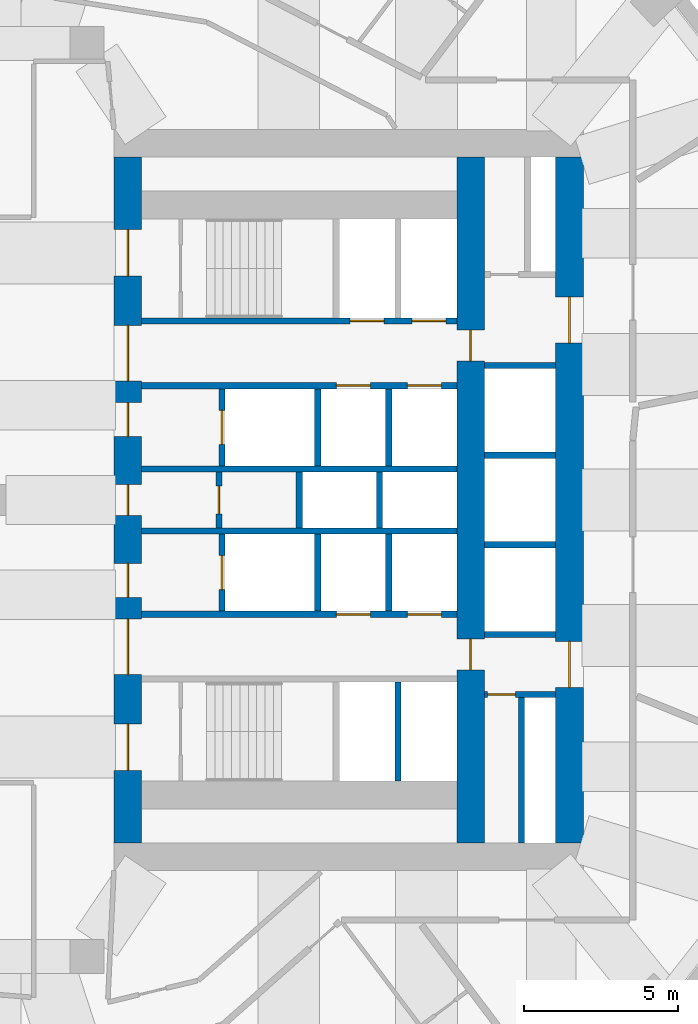
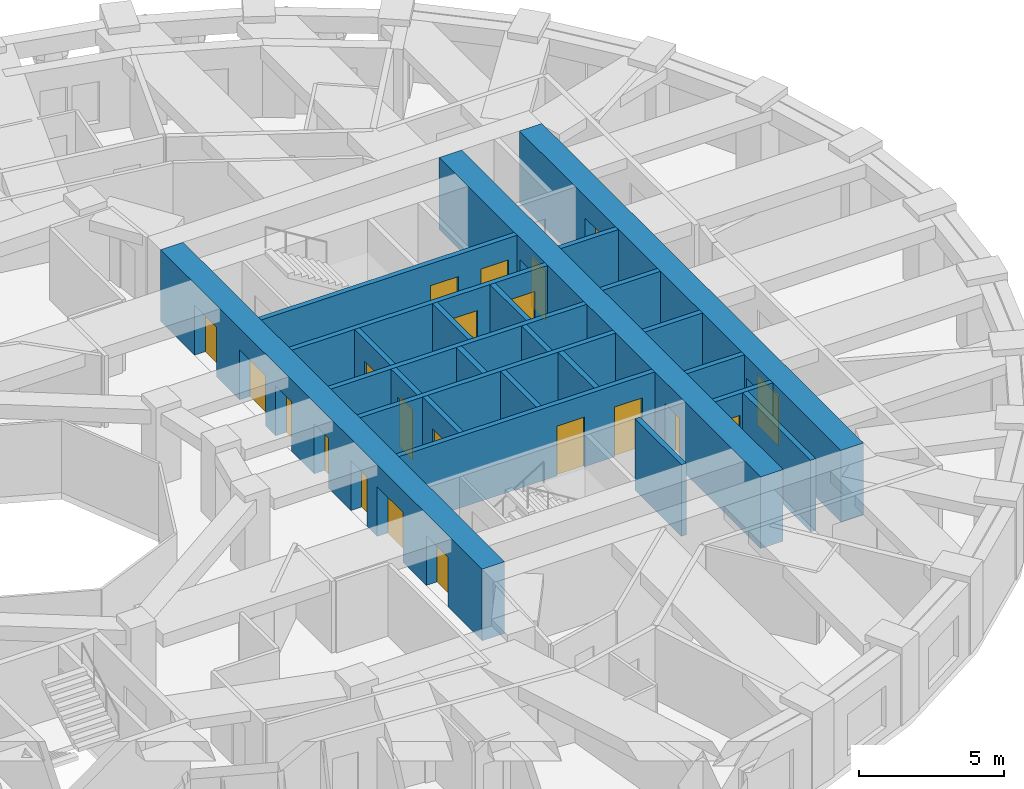
# One storey, part 6 of 13: 24 walls, 21 doors, 21 openings.
"""IFC4 building model written with IfcOpenShell, lengths in metres."""

from ifc_helpers import new_model, si_unit, direction, frame, frame_2d, origin, place, context, subcontext, project, spatial, rectangle, extrude, material, layer, layer_set, type_object, element, fill, save


model = new_model("IFC4")

# Units and contexts
model_context = context("Model", 3, precision=1e-05, world=origin(), true_north=direction((0.0, 1.0)))
body_context = subcontext(model_context, "Body", "Model", "MODEL_VIEW")
ifc_project = project(units=[si_unit("LENGTHUNIT", "METRE"), si_unit("AREAUNIT", "SQUARE_METRE"), si_unit("VOLUMEUNIT", "CUBIC_METRE"), si_unit("PLANEANGLEUNIT", "RADIAN"), si_unit("MASSUNIT", "GRAM", prefix="KILO")], contexts=[model_context])

# Site, building, storey
site_placement = place(None, origin())
site = spatial("IfcSite", under=ifc_project, at=site_placement, CompositionType="ELEMENT")
building_placement = place(site_placement, origin())
building = spatial("IfcBuilding", under=site, at=building_placement, Name="Taillehof Tower", CompositionType="ELEMENT")
storey_placement = place(building_placement, frame((0.0, 0.0, 64.60009765625)))
storey = spatial("IfcBuildingStorey", under=building, at=storey_placement, Name="L17", CompositionType="ELEMENT", Elevation=64.60009765625)

# Wall, opening, door
ifc_material_1 = material(Name="Calcium silicate masonry", Category="masonry")
ifc_layer_1 = layer(ifc_material_1, 0.199951171875)
ifc_layer_set_1 = layer_set([ifc_layer_1], Name="Compartment wall calcium silicate 200")
wall_type_1 = type_object("IfcWallType", Name="Compartment wall calcium silicate 200", PredefinedType="PARTITIONING", material=ifc_layer_set_1)
wall_1_placement = place(storey_placement, frame((7.39990234375, -0.89990234375, 0.0), z_axis=(0.0, 0.0, 1.0), x_axis=(0.0, 1.0, 0.0)))
wall_1 = element("IfcWall", 1, at=wall_1_placement, inside=storey, type_object=wall_type_1, Name="Compartment wall FW", PredefinedType="PARTITIONING", context=body_context, shape_type="SweptSolid", body=[
    extrude(rectangle(XDim=1.7998046875, YDim=0.199951171875, at=frame_2d((0.89990234375, 0.0))), origin(), (0.0, 0.0, 1.0), 3.02001953125),
])
opening_1_placement = place(wall_1_placement, frame((0.449951171875, 0.0, 0.0)))
opening_1 = element("IfcOpeningElement", 2, at=opening_1_placement, cuts=wall_1, Name="Opening D1714", PredefinedType="OPENING", context=body_context, shape_type="SweptSolid", body=[
    extrude(rectangle(XDim=0.89990234375, YDim=2.10009765625, at=frame_2d((0.449951171875, 1.050048828125))), frame((0.0, 0.10986328125, 0.0), z_axis=(0.0, -1.0, 0.0), x_axis=(1.0, 0.0, 0.0)), (0.0, 0.0, 1.0), 0.219970703125),
])
ifc_material_2 = material(Name="Steel-faced fire door", Category="steel")
door_type_1 = type_object("IfcDoorType", Name="Riser and service room door 900x2100", OperationType="SINGLE_SWING_LEFT", PredefinedType="DOOR", material=ifc_material_2)
door_1_placement = place(opening_1_placement, origin())
door_1 = element("IfcDoor", 3, at=door_1_placement, inside=storey, type_object=door_type_1, Name="Door Electrical Room", OperationType="SINGLE_SWING_RIGHT", OverallHeight=2.10009765625, OverallWidth=0.89990234375, PredefinedType="DOOR", context=body_context, shape_type="SweptSolid", body=[
    extrude(rectangle(XDim=0.89990234375, YDim=2.10009765625, at=frame_2d((0.449951171875, 1.050048828125))), frame((0.0, 0.02490234375, 0.0), z_axis=(0.0, -1.0, 0.0), x_axis=(1.0, 0.0, 0.0)), (0.0, 0.0, 1.0), 0.050048828125),
])
fill(opening_1, door_1)

# Walls
for number, where, z_axis, x_axis, name in (
    (4, (10.0, -0.89990234375, 0.0), (0.0, 0.0, 1.0), (0.0, 1.0, 0.0), "Compartment wall FW"),
    (5, (12.60009765625, -0.89990234375, 0.0), (0.0, 0.0, 1.0), (0.0, 1.0, 0.0), "Compartment wall FW"),
):
    element("IfcWall", number, at=place(storey_placement, frame(where, z_axis=z_axis, x_axis=x_axis)), inside=storey, type_object=wall_type_1, Name=name, PredefinedType="PARTITIONING", context=body_context, shape_type="SweptSolid", body=[
        extrude(rectangle(XDim=1.7998046875, YDim=0.199951171875, at=frame_2d((0.89990234375, 0.0))), origin(), (0.0, 0.0, 1.0), 3.02001953125),
    ])

# Wall, opening, door
wall_2_placement = place(storey_placement, frame((16.0, -6.300048828125, 0.0), z_axis=(0.0, 0.0, 1.0), x_axis=(1.0, 0.0, 0.0)))
wall_2 = element("IfcWall", 6, at=wall_2_placement, inside=storey, type_object=wall_type_1, Name="Compartment wall FW", PredefinedType="PARTITIONING", context=body_context, shape_type="SweptSolid", body=[
    extrude(rectangle(XDim=2.300048828125, YDim=0.199951171875, at=frame_2d((1.14990234375, 0.0))), origin(), (0.0, 0.0, 1.0), 3.02001953125),
])
opening_2_placement = place(wall_2_placement, frame((0.10009765625, 0.0, 0.0)))
opening_2 = element("IfcOpeningElement", 7, at=opening_2_placement, cuts=wall_2, Name="Opening D1718", PredefinedType="OPENING", context=body_context, shape_type="SweptSolid", body=[
    extrude(rectangle(XDim=0.89990234375, YDim=2.10009765625, at=frame_2d((0.449951171875, 1.050048828125))), frame((0.0, 0.10986328125, 0.0), z_axis=(0.0, -1.0, 0.0), x_axis=(1.0, 0.0, 0.0)), (0.0, 0.0, 1.0), 0.219970703125),
])
door_2_placement = place(opening_2_placement, origin())
door_2 = element("IfcDoor", 8, at=door_2_placement, inside=storey, type_object=door_type_1, Name="Door Electrical Room", OperationType="SINGLE_SWING_LEFT", OverallHeight=2.10009765625, OverallWidth=0.89990234375, PredefinedType="DOOR", context=body_context, shape_type="SweptSolid", body=[
    extrude(rectangle(XDim=0.89990234375, YDim=2.10009765625, at=frame_2d((0.449951171875, 1.050048828125))), frame((0.0, 0.02490234375, 0.0), z_axis=(0.0, -1.0, 0.0), x_axis=(1.0, 0.0, 0.0)), (0.0, 0.0, 1.0), 0.050048828125),
])
fill(opening_2, door_2)

# Wall
wall_3_placement = place(storey_placement, frame((17.199951171875, -11.10009765625, 0.0), z_axis=(0.0, 0.0, 1.0), x_axis=(0.0, 1.0, 0.0)))
element("IfcWall", 9, at=wall_3_placement, inside=storey, type_object=wall_type_1, Name="Compartment wall FW", PredefinedType="PARTITIONING", context=body_context, shape_type="SweptSolid", body=[
    extrude(rectangle(XDim=4.7001953125, YDim=0.199951171875, at=frame_2d((2.35009765625, 0.0))), origin(), (0.0, 0.0, 1.0), 3.02001953125),
])

# Wall, openings, doors
ifc_material_3 = material(Name="Concrete C80/95", Category="concrete")
ifc_layer_2 = layer(ifc_material_3, 0.89990234375)
ifc_layer_set_2 = layer_set([ifc_layer_2], Name="Core wall C80/95 900")
wall_type_2 = type_object("IfcWallType", Name="Core wall C80/95 900", PredefinedType="SHEAR", material=ifc_layer_set_2)
wall_4_placement = place(storey_placement, frame((4.449951171875, -11.10009765625, 0.0), z_axis=(0.0, 0.0, 1.0), x_axis=(0.0, 1.0, 0.0)))
wall_4 = element("IfcWall", 10, at=wall_4_placement, inside=storey, type_object=wall_type_2, Name="Core wall CW01", PredefinedType="SHEAR", context=body_context, shape_type="SweptSolid", body=[
    extrude(rectangle(XDim=22.2001953125, YDim=0.89990234375, at=frame_2d((11.10009765625, 0.0))), origin(), (0.0, 0.0, 1.0), 3.02001953125),
])
opening_3_placement = place(wall_4_placement, frame((2.35009765625, 0.0, 0.0)))
opening_3 = element("IfcOpeningElement", 11, at=opening_3_placement, cuts=wall_4, Name="Opening D1701", PredefinedType="OPENING", context=body_context, shape_type="SweptSolid", body=[
    extrude(rectangle(XDim=1.5, YDim=2.10009765625, at=frame_2d((0.75, 1.050048828125))), frame((0.0, 0.4599609375, 0.0), z_axis=(0.0, -1.0, 0.0), x_axis=(1.0, 0.0, 0.0)), (0.0, 0.0, 1.0), 0.919921875),
])
opening_4_placement = place(wall_4_placement, frame((5.449951171875, 0.0, 0.0)))
opening_4 = element("IfcOpeningElement", 12, at=opening_4_placement, cuts=wall_4, Name="Opening D1702", PredefinedType="OPENING", context=body_context, shape_type="SweptSolid", body=[
    extrude(rectangle(XDim=1.800048828125, YDim=2.10009765625, at=frame_2d((0.89990234375, 1.050048828125))), frame((0.0, 0.4599609375, 0.0), z_axis=(0.0, -1.0, 0.0), x_axis=(1.0, 0.0, 0.0)), (0.0, 0.0, 1.0), 0.919921875),
])
opening_5_placement = place(wall_4_placement, frame((7.949951171875, 0.0, 0.0)))
opening_5 = element("IfcOpeningElement", 13, at=opening_5_placement, cuts=wall_4, Name="Opening D1703", PredefinedType="OPENING", context=body_context, shape_type="SweptSolid", body=[
    extrude(rectangle(XDim=1.10009765625, YDim=2.10009765625, at=frame_2d((0.550048828125, 1.050048828125))), frame((0.0, 0.4599609375, 0.0), z_axis=(0.0, -1.0, 0.0), x_axis=(1.0, 0.0, 0.0)), (0.0, 0.0, 1.0), 0.919921875),
])
opening_6_placement = place(wall_4_placement, frame((10.60009765625, 0.0, 0.0)))
opening_6 = element("IfcOpeningElement", 14, at=opening_6_placement, cuts=wall_4, Name="Opening D1704", PredefinedType="OPENING", context=body_context, shape_type="SweptSolid", body=[
    extrude(rectangle(XDim=1.0, YDim=2.10009765625, at=frame_2d((0.5, 1.050048828125))), frame((0.0, 0.4599609375, 0.0), z_axis=(0.0, -1.0, 0.0), x_axis=(1.0, 0.0, 0.0)), (0.0, 0.0, 1.0), 0.919921875),
])
opening_7_placement = place(wall_4_placement, frame((13.14990234375, 0.0, 0.0)))
opening_7 = element("IfcOpeningElement", 15, at=opening_7_placement, cuts=wall_4, Name="Opening D1705", PredefinedType="OPENING", context=body_context, shape_type="SweptSolid", body=[
    extrude(rectangle(XDim=1.10009765625, YDim=2.10009765625, at=frame_2d((0.550048828125, 1.050048828125))), frame((0.0, 0.4599609375, 0.0), z_axis=(0.0, -1.0, 0.0), x_axis=(1.0, 0.0, 0.0)), (0.0, 0.0, 1.0), 0.919921875),
])
opening_8_placement = place(wall_4_placement, frame((14.949951171875, 0.0, 0.0)))
opening_8 = element("IfcOpeningElement", 16, at=opening_8_placement, cuts=wall_4, Name="Opening D1706", PredefinedType="OPENING", context=body_context, shape_type="SweptSolid", body=[
    extrude(rectangle(XDim=1.800048828125, YDim=2.10009765625, at=frame_2d((0.89990234375, 1.050048828125))), frame((0.0, 0.4599609375, 0.0), z_axis=(0.0, -1.0, 0.0), x_axis=(1.0, 0.0, 0.0)), (0.0, 0.0, 1.0), 0.919921875),
])
opening_9_placement = place(wall_4_placement, frame((18.35009765625, 0.0, 0.0)))
opening_9 = element("IfcOpeningElement", 17, at=opening_9_placement, cuts=wall_4, Name="Opening D1707", PredefinedType="OPENING", context=body_context, shape_type="SweptSolid", body=[
    extrude(rectangle(XDim=1.5, YDim=2.10009765625, at=frame_2d((0.75, 1.050048828125))), frame((0.0, 0.4599609375, 0.0), z_axis=(0.0, -1.0, 0.0), x_axis=(1.0, 0.0, 0.0)), (0.0, 0.0, 1.0), 0.919921875),
])
ifc_material_4 = material(Name="Steel-faced fire door", Category="steel")
door_type_2 = type_object("IfcDoorType", Name="Firefighting lobby door 1100x2100", OperationType="SINGLE_SWING_RIGHT", PredefinedType="DOOR", material=ifc_material_4)
door_3_placement = place(opening_5_placement, origin())
door_3 = element("IfcDoor", 18, at=door_3_placement, inside=storey, type_object=door_type_2, Name="Firefighting lobby door FFL-S", OperationType="SINGLE_SWING_RIGHT", OverallHeight=2.10009765625, OverallWidth=1.10009765625, PredefinedType="DOOR", context=body_context, shape_type="SweptSolid", body=[
    extrude(rectangle(XDim=1.10009765625, YDim=2.10009765625, at=frame_2d((0.550048828125, 1.050048828125))), frame((0.0, 0.02490234375, 0.0), z_axis=(0.0, -1.0, 0.0), x_axis=(1.0, 0.0, 0.0)), (0.0, 0.0, 1.0), 0.050048828125),
])
fill(opening_5, door_3)
door_4_placement = place(opening_7_placement, origin())
door_4 = element("IfcDoor", 19, at=door_4_placement, inside=storey, type_object=door_type_2, Name="Firefighting lobby door FFL-N", OperationType="SINGLE_SWING_LEFT", OverallHeight=2.10009765625, OverallWidth=1.10009765625, PredefinedType="DOOR", context=body_context, shape_type="SweptSolid", body=[
    extrude(rectangle(XDim=1.10009765625, YDim=2.10009765625, at=frame_2d((0.550048828125, 1.050048828125))), frame((0.0, 0.02490234375, 0.0), z_axis=(0.0, -1.0, 0.0), x_axis=(1.0, 0.0, 0.0)), (0.0, 0.0, 1.0), 0.050048828125),
])
fill(opening_7, door_4)
ifc_material_5 = material(Name="Steel-faced fire door", Category="steel")
door_type_3 = type_object("IfcDoorType", Name="Lift lobby door 1800x2100", OperationType="DOUBLE_DOOR_SINGLE_SWING", PredefinedType="DOOR", material=ifc_material_5)
door_5_placement = place(opening_4_placement, origin())
door_5 = element("IfcDoor", 20, at=door_5_placement, inside=storey, type_object=door_type_3, Name="Lift lobby door LL-S", OperationType="DOUBLE_DOOR_SINGLE_SWING", OverallHeight=2.10009765625, OverallWidth=1.800048828125, PredefinedType="DOOR", context=body_context, shape_type="SweptSolid", body=[
    extrude(rectangle(XDim=1.800048828125, YDim=2.10009765625, at=frame_2d((0.89990234375, 1.050048828125))), frame((0.0, 0.02490234375, 0.0), z_axis=(0.0, -1.0, 0.0), x_axis=(1.0, 0.0, 0.0)), (0.0, 0.0, 1.0), 0.050048828125),
])
fill(opening_4, door_5)
door_6_placement = place(opening_8_placement, origin())
door_6 = element("IfcDoor", 21, at=door_6_placement, inside=storey, type_object=door_type_3, Name="Lift lobby door LL-N", OperationType="DOUBLE_DOOR_SINGLE_SWING", OverallHeight=2.10009765625, OverallWidth=1.800048828125, PredefinedType="DOOR", context=body_context, shape_type="SweptSolid", body=[
    extrude(rectangle(XDim=1.800048828125, YDim=2.10009765625, at=frame_2d((0.89990234375, 1.050048828125))), frame((0.0, 0.02490234375, 0.0), z_axis=(0.0, -1.0, 0.0), x_axis=(1.0, 0.0, 0.0)), (0.0, 0.0, 1.0), 0.050048828125),
])
fill(opening_8, door_6)
ifc_material_6 = material(Name="Steel-faced fire door", Category="steel")
door_type_4 = type_object("IfcDoorType", Name="Service door 1000x2100", OperationType="SINGLE_SWING_RIGHT", PredefinedType="DOOR", material=ifc_material_6)
door_7_placement = place(opening_6_placement, origin())
door_7 = element("IfcDoor", 22, at=door_7_placement, inside=storey, type_object=door_type_4, Name="Service door SV", OperationType="SINGLE_SWING_LEFT", OverallHeight=2.10009765625, OverallWidth=1.0, PredefinedType="DOOR", context=body_context, shape_type="SweptSolid", body=[
    extrude(rectangle(XDim=1.0, YDim=2.10009765625, at=frame_2d((0.5, 1.050048828125))), frame((0.0, 0.02490234375, 0.0), z_axis=(0.0, -1.0, 0.0), x_axis=(1.0, 0.0, 0.0)), (0.0, 0.0, 1.0), 0.050048828125),
])
fill(opening_6, door_7)
ifc_material_7 = material(Name="Steel-faced fire door", Category="steel")
door_type_5 = type_object("IfcDoorType", Name="Stair door 1500x2100", OperationType="DOUBLE_DOOR_SINGLE_SWING", PredefinedType="DOOR", material=ifc_material_7)
door_8_placement = place(opening_3_placement, origin())
door_8 = element("IfcDoor", 23, at=door_8_placement, inside=storey, type_object=door_type_5, Name="Stair door S2", OperationType="DOUBLE_DOOR_SINGLE_SWING", OverallHeight=2.10009765625, OverallWidth=1.5, PredefinedType="DOOR", context=body_context, shape_type="SweptSolid", body=[
    extrude(rectangle(XDim=1.5, YDim=2.10009765625, at=frame_2d((0.75, 1.050048828125))), frame((0.0, 0.02490234375, 0.0), z_axis=(0.0, -1.0, 0.0), x_axis=(1.0, 0.0, 0.0)), (0.0, 0.0, 1.0), 0.050048828125),
])
fill(opening_3, door_8)
door_9_placement = place(opening_9_placement, origin())
door_9 = element("IfcDoor", 24, at=door_9_placement, inside=storey, type_object=door_type_5, Name="Stair door S1", OperationType="DOUBLE_DOOR_SINGLE_SWING", OverallHeight=2.10009765625, OverallWidth=1.5, PredefinedType="DOOR", context=body_context, shape_type="SweptSolid", body=[
    extrude(rectangle(XDim=1.5, YDim=2.10009765625, at=frame_2d((0.75, 1.050048828125))), frame((0.0, 0.02490234375, 0.0), z_axis=(0.0, -1.0, 0.0), x_axis=(1.0, 0.0, 0.0)), (0.0, 0.0, 1.0), 0.050048828125),
])
fill(opening_9, door_9)

wall_5_placement = place(storey_placement, frame((18.75, -11.10009765625, 0.0), z_axis=(0.0, 0.0, 1.0), x_axis=(0.0, 1.0, 0.0)))
wall_5 = element("IfcWall", 25, at=wall_5_placement, inside=storey, type_object=wall_type_2, Name="Core wall CW02", PredefinedType="SHEAR", context=body_context, shape_type="SweptSolid", body=[
    extrude(rectangle(XDim=22.2001953125, YDim=0.89990234375, at=frame_2d((11.10009765625, 0.0))), origin(), (0.0, 0.0, 1.0), 3.02001953125),
])
opening_10_placement = place(wall_5_placement, frame((16.175048828125, 0.0, 0.0)))
opening_10 = element("IfcOpeningElement", 26, at=opening_10_placement, cuts=wall_5, Name="Opening D1708", PredefinedType="OPENING", context=body_context, shape_type="SweptSolid", body=[
    extrude(rectangle(XDim=1.5, YDim=2.10009765625, at=frame_2d((0.75, 1.050048828125))), frame((0.0, 0.4599609375, 0.0), z_axis=(0.0, -1.0, 0.0), x_axis=(1.0, 0.0, 0.0)), (0.0, 0.0, 1.0), 0.919921875),
])
opening_11_placement = place(wall_5_placement, frame((5.02490234375, 0.0, 0.0)))
opening_11 = element("IfcOpeningElement", 27, at=opening_11_placement, cuts=wall_5, Name="Opening D1709", PredefinedType="OPENING", context=body_context, shape_type="SweptSolid", body=[
    extrude(rectangle(XDim=1.5, YDim=2.10009765625, at=frame_2d((0.75, 1.050048828125))), frame((0.0, 0.4599609375, 0.0), z_axis=(0.0, -1.0, 0.0), x_axis=(1.0, 0.0, 0.0)), (0.0, 0.0, 1.0), 0.919921875),
])
ifc_material_8 = material(Name="Steel-faced fire door", Category="steel")
door_type_6 = type_object("IfcDoorType", Name="Lift lobby east door 1500x2100", OperationType="DOUBLE_DOOR_SINGLE_SWING", PredefinedType="DOOR", material=ifc_material_8)
door_10_placement = place(opening_10_placement, origin())
door_10 = element("IfcDoor", 28, at=door_10_placement, inside=storey, type_object=door_type_6, Name="Lift lobby east door north", OperationType="DOUBLE_DOOR_SINGLE_SWING", OverallHeight=2.10009765625, OverallWidth=1.5, PredefinedType="DOOR", context=body_context, shape_type="SweptSolid", body=[
    extrude(rectangle(XDim=1.5, YDim=2.10009765625, at=frame_2d((0.75, 1.050048828125))), frame((0.0, 0.02490234375, 0.0), z_axis=(0.0, -1.0, 0.0), x_axis=(1.0, 0.0, 0.0)), (0.0, 0.0, 1.0), 0.050048828125),
])
fill(opening_10, door_10)
door_11_placement = place(opening_11_placement, origin())
door_11 = element("IfcDoor", 29, at=door_11_placement, inside=storey, type_object=door_type_6, Name="Lift lobby east door south", OperationType="DOUBLE_DOOR_SINGLE_SWING", OverallHeight=2.10009765625, OverallWidth=1.5, PredefinedType="DOOR", context=body_context, shape_type="SweptSolid", body=[
    extrude(rectangle(XDim=1.5, YDim=2.10009765625, at=frame_2d((0.75, 1.050048828125))), frame((0.0, 0.02490234375, 0.0), z_axis=(0.0, -1.0, 0.0), x_axis=(1.0, 0.0, 0.0)), (0.0, 0.0, 1.0), 0.050048828125),
])
fill(opening_11, door_11)

wall_6_placement = place(storey_placement, frame((15.550048828125, -11.10009765625, 0.0), z_axis=(0.0, 0.0, 1.0), x_axis=(0.0, 1.0, 0.0)))
wall_6 = element("IfcWall", 30, at=wall_6_placement, inside=storey, type_object=wall_type_2, Name="Core wall CW05", PredefinedType="SHEAR", context=body_context, shape_type="SweptSolid", body=[
    extrude(rectangle(XDim=22.2001953125, YDim=0.89990234375, at=frame_2d((11.10009765625, 0.0))), origin(), (0.0, 0.0, 1.0), 3.02001953125),
])
opening_12_placement = place(wall_6_placement, frame((15.60009765625, 0.0, 0.0)))
opening_12 = element("IfcOpeningElement", 31, at=opening_12_placement, cuts=wall_6, Name="Opening D1715", PredefinedType="OPENING", context=body_context, shape_type="SweptSolid", body=[
    extrude(rectangle(XDim=1.0, YDim=2.10009765625, at=frame_2d((0.5, 1.050048828125))), frame((0.0, 0.4599609375, 0.0), z_axis=(0.0, -1.0, 0.0), x_axis=(1.0, 0.0, 0.0)), (0.0, 0.0, 1.0), 0.919921875),
])
opening_13_placement = place(wall_6_placement, frame((5.60009765625, 0.0, 0.0)))
opening_13 = element("IfcOpeningElement", 32, at=opening_13_placement, cuts=wall_6, Name="Opening D1717", PredefinedType="OPENING", context=body_context, shape_type="SweptSolid", body=[
    extrude(rectangle(XDim=1.0, YDim=2.10009765625, at=frame_2d((0.5, 1.050048828125))), frame((0.0, 0.4599609375, 0.0), z_axis=(0.0, -1.0, 0.0), x_axis=(1.0, 0.0, 0.0)), (0.0, 0.0, 1.0), 0.919921875),
])
door_12_placement = place(opening_12_placement, origin())
door_12 = element("IfcDoor", 33, at=door_12_placement, inside=storey, type_object=door_type_4, Name="Service door strip", OperationType="SINGLE_SWING_RIGHT", OverallHeight=2.10009765625, OverallWidth=1.0, PredefinedType="DOOR", context=body_context, shape_type="SweptSolid", body=[
    extrude(rectangle(XDim=1.0, YDim=2.10009765625, at=frame_2d((0.5, 1.050048828125))), frame((0.0, 0.02490234375, 0.0), z_axis=(0.0, -1.0, 0.0), x_axis=(1.0, 0.0, 0.0)), (0.0, 0.0, 1.0), 0.050048828125),
])
fill(opening_12, door_12)
door_13_placement = place(opening_13_placement, origin())
door_13 = element("IfcDoor", 34, at=door_13_placement, inside=storey, type_object=door_type_4, Name="Service door strip", OperationType="SINGLE_SWING_LEFT", OverallHeight=2.10009765625, OverallWidth=1.0, PredefinedType="DOOR", context=body_context, shape_type="SweptSolid", body=[
    extrude(rectangle(XDim=1.0, YDim=2.10009765625, at=frame_2d((0.5, 1.050048828125))), frame((0.0, 0.02490234375, 0.0), z_axis=(0.0, -1.0, 0.0), x_axis=(1.0, 0.0, 0.0)), (0.0, 0.0, 1.0), 0.050048828125),
])
fill(opening_13, door_13)

ifc_material_9 = material(Name="Concrete C50/60", Category="concrete")
ifc_layer_3 = layer(ifc_material_9, 0.199951171875)
ifc_layer_set_3 = layer_set([ifc_layer_3], Name="Shaft wall C50/60 200")
wall_type_3 = type_object("IfcWallType", Name="Shaft wall C50/60 200", PredefinedType="SHEAR", material=ifc_layer_set_3)
wall_7_placement = place(storey_placement, frame((4.89990234375, 5.800048828125, 0.0), z_axis=(0.0, 0.0, 1.0), x_axis=(1.0, 0.0, 0.0)))
wall_7 = element("IfcWall", 35, at=wall_7_placement, inside=storey, type_object=wall_type_3, Name="Shaft wall SW", PredefinedType="SHEAR", context=body_context, shape_type="SweptSolid", body=[
    extrude(rectangle(XDim=10.2001953125, YDim=0.199951171875, at=frame_2d((5.10009765625, 0.0))), origin(), (0.0, 0.0, 1.0), 3.02001953125),
])
opening_14_placement = place(wall_7_placement, frame((6.75, 0.0, 0.0)))
opening_14 = element("IfcOpeningElement", 36, at=opening_14_placement, cuts=wall_7, Name="Opening LD1", PredefinedType="OPENING", context=body_context, shape_type="SweptSolid", body=[
    extrude(rectangle(XDim=1.10009765625, YDim=2.10009765625, at=frame_2d((0.550048828125, 1.050048828125))), frame((0.0, 0.10986328125, 0.0), z_axis=(0.0, -1.0, 0.0), x_axis=(1.0, 0.0, 0.0)), (0.0, 0.0, 1.0), 0.219970703125),
])
opening_15_placement = place(wall_7_placement, frame((8.75, 0.0, 0.0)))
opening_15 = element("IfcOpeningElement", 37, at=opening_15_placement, cuts=wall_7, Name="Opening LD1", PredefinedType="OPENING", context=body_context, shape_type="SweptSolid", body=[
    extrude(rectangle(XDim=1.10009765625, YDim=2.10009765625, at=frame_2d((0.550048828125, 1.050048828125))), frame((0.0, 0.10986328125, 0.0), z_axis=(0.0, -1.0, 0.0), x_axis=(1.0, 0.0, 0.0)), (0.0, 0.0, 1.0), 0.219970703125),
])
ifc_material_10 = material(Name="Stainless steel", Category="steel")
door_type_7 = type_object("IfcDoorType", Name="Lift landing door LD1 1100x2100", OperationType="DOUBLE_DOOR_SLIDING", PredefinedType="DOOR", material=ifc_material_10)
door_14_placement = place(opening_14_placement, origin())
door_14 = element("IfcDoor", 38, at=door_14_placement, inside=storey, type_object=door_type_7, Name="Landing door LR1", OperationType="DOUBLE_DOOR_SLIDING", OverallHeight=2.10009765625, OverallWidth=1.10009765625, PredefinedType="DOOR", context=body_context, shape_type="SweptSolid", body=[
    extrude(rectangle(XDim=1.10009765625, YDim=2.10009765625, at=frame_2d((0.550048828125, 1.050048828125))), frame((0.0, 0.02490234375, 0.0), z_axis=(0.0, -1.0, 0.0), x_axis=(1.0, 0.0, 0.0)), (0.0, 0.0, 1.0), 0.050048828125),
])
fill(opening_14, door_14)
door_15_placement = place(opening_15_placement, origin())
door_15 = element("IfcDoor", 39, at=door_15_placement, inside=storey, type_object=door_type_7, Name="Landing door LR2", OperationType="DOUBLE_DOOR_SLIDING", OverallHeight=2.10009765625, OverallWidth=1.10009765625, PredefinedType="DOOR", context=body_context, shape_type="SweptSolid", body=[
    extrude(rectangle(XDim=1.10009765625, YDim=2.10009765625, at=frame_2d((0.550048828125, 1.050048828125))), frame((0.0, 0.02490234375, 0.0), z_axis=(0.0, -1.0, 0.0), x_axis=(1.0, 0.0, 0.0)), (0.0, 0.0, 1.0), 0.050048828125),
])
fill(opening_15, door_15)

wall_8_placement = place(storey_placement, frame((4.89990234375, 3.699951171875, 0.0), z_axis=(0.0, 0.0, 1.0), x_axis=(1.0, 0.0, 0.0)))
wall_8 = element("IfcWall", 40, at=wall_8_placement, inside=storey, type_object=wall_type_3, Name="Shaft wall SW", PredefinedType="SHEAR", context=body_context, shape_type="SweptSolid", body=[
    extrude(rectangle(XDim=10.2001953125, YDim=0.199951171875, at=frame_2d((5.10009765625, 0.0))), origin(), (0.0, 0.0, 1.0), 3.02001953125),
])
opening_16_placement = place(wall_8_placement, frame((6.300048828125, 0.0, 0.0)))
opening_16 = element("IfcOpeningElement", 41, at=opening_16_placement, cuts=wall_8, Name="Opening LD1", PredefinedType="OPENING", context=body_context, shape_type="SweptSolid", body=[
    extrude(rectangle(XDim=1.10009765625, YDim=2.10009765625, at=frame_2d((0.550048828125, 1.050048828125))), frame((0.0, 0.10986328125, 0.0), z_axis=(0.0, -1.0, 0.0), x_axis=(1.0, 0.0, 0.0)), (0.0, 0.0, 1.0), 0.219970703125),
])
opening_17_placement = place(wall_8_placement, frame((8.60009765625, 0.0, 0.0)))
opening_17 = element("IfcOpeningElement", 42, at=opening_17_placement, cuts=wall_8, Name="Opening LD1", PredefinedType="OPENING", context=body_context, shape_type="SweptSolid", body=[
    extrude(rectangle(XDim=1.10009765625, YDim=2.10009765625, at=frame_2d((0.550048828125, 1.050048828125))), frame((0.0, 0.10986328125, 0.0), z_axis=(0.0, -1.0, 0.0), x_axis=(1.0, 0.0, 0.0)), (0.0, 0.0, 1.0), 0.219970703125),
])
door_16_placement = place(opening_16_placement, origin())
door_16 = element("IfcDoor", 43, at=door_16_placement, inside=storey, type_object=door_type_7, Name="Landing door LR3", OperationType="DOUBLE_DOOR_SLIDING", OverallHeight=2.10009765625, OverallWidth=1.10009765625, PredefinedType="DOOR", context=body_context, shape_type="SweptSolid", body=[
    extrude(rectangle(XDim=1.10009765625, YDim=2.10009765625, at=frame_2d((0.550048828125, 1.050048828125))), frame((0.0, 0.02490234375, 0.0), z_axis=(0.0, -1.0, 0.0), x_axis=(1.0, 0.0, 0.0)), (0.0, 0.0, 1.0), 0.050048828125),
])
fill(opening_16, door_16)
door_17_placement = place(opening_17_placement, origin())
door_17 = element("IfcDoor", 44, at=door_17_placement, inside=storey, type_object=door_type_7, Name="Landing door LR4", OperationType="DOUBLE_DOOR_SLIDING", OverallHeight=2.10009765625, OverallWidth=1.10009765625, PredefinedType="DOOR", context=body_context, shape_type="SweptSolid", body=[
    extrude(rectangle(XDim=1.10009765625, YDim=2.10009765625, at=frame_2d((0.550048828125, 1.050048828125))), frame((0.0, 0.02490234375, 0.0), z_axis=(0.0, -1.0, 0.0), x_axis=(1.0, 0.0, 0.0)), (0.0, 0.0, 1.0), 0.050048828125),
])
fill(opening_17, door_17)

# Walls
for number, where, z_axis, x_axis, name in (
    (45, (4.89990234375, 1.0, 0.0), (0.0, 0.0, 1.0), (1.0, 0.0, 0.0), "Shaft wall SW"),
    (46, (4.89990234375, -1.0, 0.0), (0.0, 0.0, 1.0), (1.0, 0.0, 0.0), "Shaft wall SW"),
):
    element("IfcWall", number, at=place(storey_placement, frame(where, z_axis=z_axis, x_axis=x_axis)), inside=storey, type_object=wall_type_3, Name=name, PredefinedType="SHEAR", context=body_context, shape_type="SweptSolid", body=[
        extrude(rectangle(XDim=10.2001953125, YDim=0.199951171875, at=frame_2d((5.10009765625, 0.0))), origin(), (0.0, 0.0, 1.0), 3.02001953125),
    ])

# Wall, openings, doors
wall_9_placement = place(storey_placement, frame((4.89990234375, -3.699951171875, 0.0), z_axis=(0.0, 0.0, 1.0), x_axis=(1.0, 0.0, 0.0)))
wall_9 = element("IfcWall", 47, at=wall_9_placement, inside=storey, type_object=wall_type_3, Name="Shaft wall SW", PredefinedType="SHEAR", context=body_context, shape_type="SweptSolid", body=[
    extrude(rectangle(XDim=10.2001953125, YDim=0.199951171875, at=frame_2d((5.10009765625, 0.0))), origin(), (0.0, 0.0, 1.0), 3.02001953125),
])
opening_18_placement = place(wall_9_placement, frame((6.300048828125, 0.0, 0.0)))
opening_18 = element("IfcOpeningElement", 48, at=opening_18_placement, cuts=wall_9, Name="Opening LD1", PredefinedType="OPENING", context=body_context, shape_type="SweptSolid", body=[
    extrude(rectangle(XDim=1.10009765625, YDim=2.10009765625, at=frame_2d((0.550048828125, 1.050048828125))), frame((0.0, 0.10986328125, 0.0), z_axis=(0.0, -1.0, 0.0), x_axis=(1.0, 0.0, 0.0)), (0.0, 0.0, 1.0), 0.219970703125),
])
opening_19_placement = place(wall_9_placement, frame((8.60009765625, 0.0, 0.0)))
opening_19 = element("IfcOpeningElement", 49, at=opening_19_placement, cuts=wall_9, Name="Opening LD1", PredefinedType="OPENING", context=body_context, shape_type="SweptSolid", body=[
    extrude(rectangle(XDim=1.10009765625, YDim=2.10009765625, at=frame_2d((0.550048828125, 1.050048828125))), frame((0.0, 0.10986328125, 0.0), z_axis=(0.0, -1.0, 0.0), x_axis=(1.0, 0.0, 0.0)), (0.0, 0.0, 1.0), 0.219970703125),
])
door_18_placement = place(opening_18_placement, origin())
door_18 = element("IfcDoor", 50, at=door_18_placement, inside=storey, type_object=door_type_7, Name="Landing door LR5", OperationType="DOUBLE_DOOR_SLIDING", OverallHeight=2.10009765625, OverallWidth=1.10009765625, PredefinedType="DOOR", context=body_context, shape_type="SweptSolid", body=[
    extrude(rectangle(XDim=1.10009765625, YDim=2.10009765625, at=frame_2d((0.550048828125, 1.050048828125))), frame((0.0, 0.02490234375, 0.0), z_axis=(0.0, -1.0, 0.0), x_axis=(1.0, 0.0, 0.0)), (0.0, 0.0, 1.0), 0.050048828125),
])
fill(opening_18, door_18)
door_19_placement = place(opening_19_placement, origin())
door_19 = element("IfcDoor", 51, at=door_19_placement, inside=storey, type_object=door_type_7, Name="Landing door LR6", OperationType="DOUBLE_DOOR_SLIDING", OverallHeight=2.10009765625, OverallWidth=1.10009765625, PredefinedType="DOOR", context=body_context, shape_type="SweptSolid", body=[
    extrude(rectangle(XDim=1.10009765625, YDim=2.10009765625, at=frame_2d((0.550048828125, 1.050048828125))), frame((0.0, 0.02490234375, 0.0), z_axis=(0.0, -1.0, 0.0), x_axis=(1.0, 0.0, 0.0)), (0.0, 0.0, 1.0), 0.050048828125),
])
fill(opening_19, door_19)

# Wall
wall_10_placement = place(storey_placement, frame((13.199951171875, -9.10009765625, 0.0), z_axis=(0.0, 0.0, 1.0), x_axis=(0.0, 1.0, 0.0)))
element("IfcWall", 52, at=wall_10_placement, inside=storey, type_object=wall_type_3, Name="Shaft wall SW", PredefinedType="SHEAR", context=body_context, shape_type="SweptSolid", body=[
    extrude(rectangle(XDim=3.2001953125, YDim=0.199951171875, at=frame_2d((1.60009765625, 0.0))), origin(), (0.0, 0.0, 1.0), 3.02001953125),
])

# Wall, opening, door
wall_11_placement = place(storey_placement, frame((7.5, 1.10009765625, 0.0), z_axis=(0.0, 0.0, 1.0), x_axis=(0.0, 1.0, 0.0)))
wall_11 = element("IfcWall", 53, at=wall_11_placement, inside=storey, type_object=wall_type_3, Name="Shaft wall SW", PredefinedType="SHEAR", context=body_context, shape_type="SweptSolid", body=[
    extrude(rectangle(XDim=2.5, YDim=0.199951171875, at=frame_2d((1.25, 0.0))), origin(), (0.0, 0.0, 1.0), 3.02001953125),
])
opening_20_placement = place(wall_11_placement, frame((0.699951171875, 0.0, 0.0)))
opening_20 = element("IfcOpeningElement", 54, at=opening_20_placement, cuts=wall_11, Name="Opening LD1", PredefinedType="OPENING", context=body_context, shape_type="SweptSolid", body=[
    extrude(rectangle(XDim=1.10009765625, YDim=2.10009765625, at=frame_2d((0.550048828125, 1.050048828125))), frame((0.0, 0.10986328125, 0.0), z_axis=(0.0, -1.0, 0.0), x_axis=(1.0, 0.0, 0.0)), (0.0, 0.0, 1.0), 0.219970703125),
])
door_20_placement = place(opening_20_placement, origin())
door_20 = element("IfcDoor", 55, at=door_20_placement, inside=storey, type_object=door_type_7, Name="Landing door FF1", OperationType="DOUBLE_DOOR_SLIDING", OverallHeight=2.10009765625, OverallWidth=1.10009765625, PredefinedType="DOOR", context=body_context, shape_type="SweptSolid", body=[
    extrude(rectangle(XDim=1.10009765625, YDim=2.10009765625, at=frame_2d((0.550048828125, 1.050048828125))), frame((0.0, 0.02490234375, 0.0), z_axis=(0.0, -1.0, 0.0), x_axis=(1.0, 0.0, 0.0)), (0.0, 0.0, 1.0), 0.050048828125),
])
fill(opening_20, door_20)

wall_12_placement = place(storey_placement, frame((7.5, -3.60009765625, 0.0), z_axis=(0.0, 0.0, 1.0), x_axis=(0.0, 1.0, 0.0)))
wall_12 = element("IfcWall", 56, at=wall_12_placement, inside=storey, type_object=wall_type_3, Name="Shaft wall SW", PredefinedType="SHEAR", context=body_context, shape_type="SweptSolid", body=[
    extrude(rectangle(XDim=2.5, YDim=0.199951171875, at=frame_2d((1.25, 0.0))), origin(), (0.0, 0.0, 1.0), 3.02001953125),
])
opening_21_placement = place(wall_12_placement, frame((0.699951171875, 0.0, 0.0)))
opening_21 = element("IfcOpeningElement", 57, at=opening_21_placement, cuts=wall_12, Name="Opening LD1", PredefinedType="OPENING", context=body_context, shape_type="SweptSolid", body=[
    extrude(rectangle(XDim=1.10009765625, YDim=2.10009765625, at=frame_2d((0.550048828125, 1.050048828125))), frame((0.0, 0.10986328125, 0.0), z_axis=(0.0, -1.0, 0.0), x_axis=(1.0, 0.0, 0.0)), (0.0, 0.0, 1.0), 0.219970703125),
])
door_21_placement = place(opening_21_placement, origin())
door_21 = element("IfcDoor", 58, at=door_21_placement, inside=storey, type_object=door_type_7, Name="Landing door FF2", OperationType="DOUBLE_DOOR_SLIDING", OverallHeight=2.10009765625, OverallWidth=1.10009765625, PredefinedType="DOOR", context=body_context, shape_type="SweptSolid", body=[
    extrude(rectangle(XDim=1.10009765625, YDim=2.10009765625, at=frame_2d((0.550048828125, 1.050048828125))), frame((0.0, 0.02490234375, 0.0), z_axis=(0.0, -1.0, 0.0), x_axis=(1.0, 0.0, 0.0)), (0.0, 0.0, 1.0), 0.050048828125),
])
fill(opening_21, door_21)

# Walls
for number, where, z_axis, x_axis, name in (
    (59, (10.60009765625, 1.10009765625, 0.0), (0.0, 0.0, 1.0), (0.0, 1.0, 0.0), "Shaft wall SW"),
    (60, (10.60009765625, -3.60009765625, 0.0), (0.0, 0.0, 1.0), (0.0, 1.0, 0.0), "Shaft wall SW"),
    (61, (12.89990234375, 1.10009765625, 0.0), (0.0, 0.0, 1.0), (0.0, 1.0, 0.0), "Shaft wall SW"),
    (62, (12.89990234375, -3.60009765625, 0.0), (0.0, 0.0, 1.0), (0.0, 1.0, 0.0), "Shaft wall SW"),
):
    element("IfcWall", number, at=place(storey_placement, frame(where, z_axis=z_axis, x_axis=x_axis)), inside=storey, type_object=wall_type_3, Name=name, PredefinedType="SHEAR", context=body_context, shape_type="SweptSolid", body=[
        extrude(rectangle(XDim=2.5, YDim=0.199951171875, at=frame_2d((1.25, 0.0))), origin(), (0.0, 0.0, 1.0), 3.02001953125),
    ])
for number, where, z_axis, x_axis, name in (
    (63, (16.0, -4.35009765625, 0.0), (0.0, 0.0, 1.0), (1.0, 0.0, 0.0), "Shaft wall SW"),
    (64, (16.0, -1.449951171875, 0.0), (0.0, 0.0, 1.0), (1.0, 0.0, 0.0), "Shaft wall SW"),
    (65, (16.0, 1.449951171875, 0.0), (0.0, 0.0, 1.0), (1.0, 0.0, 0.0), "Shaft wall SW"),
    (66, (16.0, 4.35009765625, 0.0), (0.0, 0.0, 1.0), (1.0, 0.0, 0.0), "Shaft wall SW"),
):
    element("IfcWall", number, at=place(storey_placement, frame(where, z_axis=z_axis, x_axis=x_axis)), inside=storey, type_object=wall_type_3, Name=name, PredefinedType="SHEAR", context=body_context, shape_type="SweptSolid", body=[
        extrude(rectangle(XDim=2.300048828125, YDim=0.199951171875, at=frame_2d((1.14990234375, 0.0))), origin(), (0.0, 0.0, 1.0), 3.02001953125),
    ])

save(model, "model.ifc")
